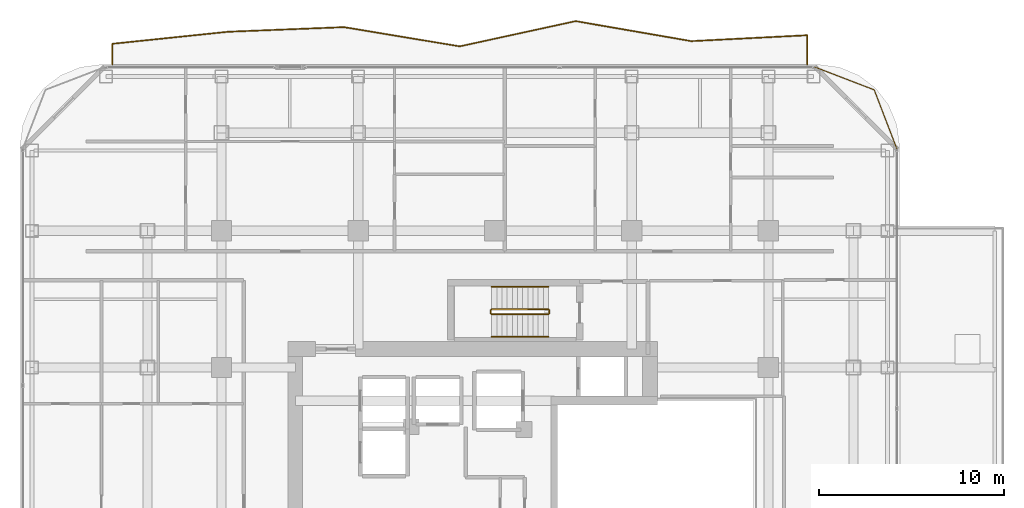
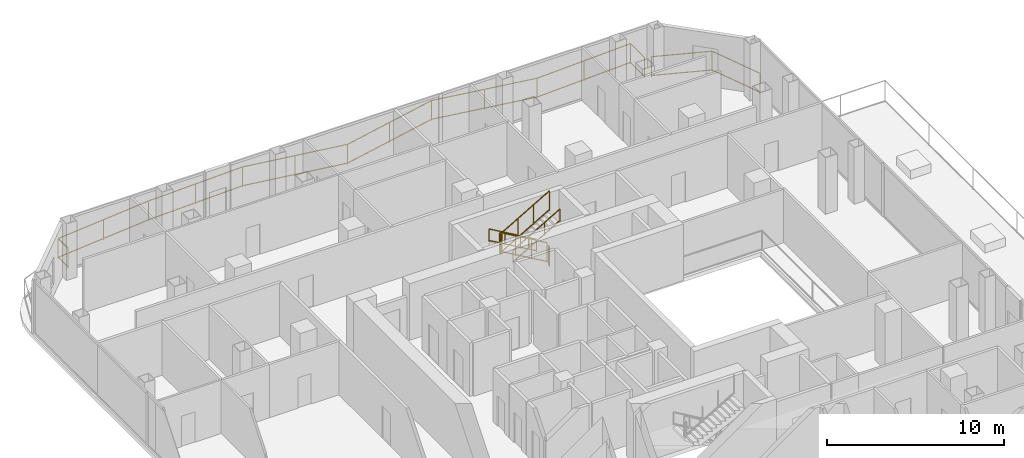
# One storey, part 27 of 27: 8 railings.
"""IFC4 building model written with IfcOpenShell, lengths in metres."""

from ifc_helpers import new_model, si_unit, direction, frame, origin, origin_2d, place, context, subcontext, project, spatial, rectangle, extrude, material, type_object, element, save


model = new_model("IFC4")

# Units and contexts
model_context = context("Model", 3, precision=1e-05, world=origin(), true_north=direction((0.0, 1.0)))
body_context = subcontext(model_context, "Body", "Model", "MODEL_VIEW")
ifc_project = project(units=[si_unit("LENGTHUNIT", "METRE"), si_unit("AREAUNIT", "SQUARE_METRE"), si_unit("VOLUMEUNIT", "CUBIC_METRE"), si_unit("PLANEANGLEUNIT", "RADIAN"), si_unit("MASSUNIT", "GRAM", prefix="KILO")], contexts=[model_context])

# Site, building, storey
site_placement = place(None, origin())
site = spatial("IfcSite", under=ifc_project, at=site_placement, CompositionType="ELEMENT")
building_placement = place(site_placement, origin())
building = spatial("IfcBuilding", under=site, at=building_placement, Name="Khorvyn Point Tower", CompositionType="ELEMENT")
storey_placement = place(building_placement, frame((0.0, 0.0, 168.0)))
storey = spatial("IfcBuildingStorey", under=building, at=storey_placement, Name="L41", CompositionType="ELEMENT", Elevation=168.0)

# Railings
ifc_material_1 = material(Name="Anodised aluminium 6063-T6 and laminated safety glass", Category="aluminium")
railing_type_1 = type_object("IfcRailingType", Name="Laminated Glass and Aluminium Balcony Guardrail 1400", PredefinedType="BALUSTRADE", material=ifc_material_1)
railing_1_placement = place(storey_placement, frame((21.774169921875, 19.176025390625, 0.0)))
element("IfcRailing", 1, at=railing_1_placement, inside=storey, type_object=railing_type_1, Name="L41 Rounded Corner Edge Guardrail NE", PredefinedType="BALUSTRADE", context=body_context, shape_type="SweptSolid", body=[
    extrude(rectangle(XDim=0.048095703125, YDim=0.048095703125, at=origin_2d()), frame((0.0, 0.0, 1.3759765625), z_axis=(-0.358382264808, 0.933574931257, 0.0), x_axis=(-0.933574931257, -0.358382264808, 0.0)), (0.0, 0.0, 1.0), 3.481689453125),
    extrude(rectangle(XDim=0.048095703125, YDim=0.048095703125, at=origin_2d()), frame((0.0, 0.0, 0.080078125), z_axis=(-0.358382264808, 0.933574931257, 0.0), x_axis=(-0.933574931257, -0.358382264808, 0.0)), (0.0, 0.0, 1.0), 3.481689453125),
    extrude(rectangle(XDim=0.048095703125, YDim=0.048095703125, at=origin_2d()), frame((-1.247802734375, 3.25048828125, 1.3759765625), z_axis=(-0.933598390295, 0.358321148746, 0.0), x_axis=(-0.358321148746, -0.933598390295, 0.0)), (0.0, 0.0, 1.0), 3.481689453125),
    extrude(rectangle(XDim=0.048095703125, YDim=0.048095703125, at=origin_2d()), frame((-1.247802734375, 3.25048828125, 0.080078125), z_axis=(-0.933598390295, 0.358321148746, 0.0), x_axis=(-0.358321148746, -0.933598390295, 0.0)), (0.0, 0.0, 1.0), 3.481689453125),
    extrude(rectangle(XDim=0.0419921875, YDim=0.0419921875, at=origin_2d()), origin(), (0.0, 0.0, 1.0), 1.351806640625),
    extrude(rectangle(XDim=0.0419921875, YDim=0.0419921875, at=origin_2d()), frame((-1.247802734375, 3.25048828125, 0.0)), (0.0, 0.0, 1.0), 1.351806640625),
    extrude(rectangle(XDim=0.0419921875, YDim=0.0419921875, at=origin_2d()), frame((-4.498291015625, 4.498046875, 0.0)), (0.0, 0.0, 1.0), 1.351806640625),
])
railing_2_placement = place(storey_placement, frame((16.89990234375, 23.800048828125, 0.0)))
element("IfcRailing", 2, at=railing_2_placement, inside=storey, type_object=railing_type_1, Name="L41 North Balcony Guardrail", PredefinedType="BALUSTRADE", context=body_context, shape_type="SweptSolid", body=[
    extrude(rectangle(XDim=0.048095703125, YDim=0.048095703125, at=origin_2d()), frame((0.0, 0.0, 1.3759765625), z_axis=(0.0, 1.0, 0.0), x_axis=(-1.0, 0.0, 0.0)), (0.0, 0.0, 1.0), 1.58154296875),
    extrude(rectangle(XDim=0.048095703125, YDim=0.048095703125, at=origin_2d()), frame((0.0, 0.0, 0.080078125), z_axis=(0.0, 1.0, 0.0), x_axis=(-1.0, 0.0, 0.0)), (0.0, 0.0, 1.0), 1.58154296875),
    extrude(rectangle(XDim=0.048095703125, YDim=0.048095703125, at=origin_2d()), frame((0.0, 1.58154296875, 1.3759765625), z_axis=(-0.998706121207, -0.050853549183, 0.0), x_axis=(0.050853549183, -0.998706121207, 0.0)), (0.0, 0.0, 1.0), 6.274658203125),
    extrude(rectangle(XDim=0.048095703125, YDim=0.048095703125, at=origin_2d()), frame((0.0, 1.58154296875, 0.080078125), z_axis=(-0.998706121207, -0.050853549183, 0.0), x_axis=(0.050853549183, -0.998706121207, 0.0)), (0.0, 0.0, 1.0), 6.274658203125),
    extrude(rectangle(XDim=0.048095703125, YDim=0.048095703125, at=origin_2d()), frame((-6.2666015625, 1.262451171875, 1.3759765625), z_axis=(-0.985353979217, 0.170521364177, 0.0), x_axis=(-0.170521364177, -0.985353979217, 0.0)), (0.0, 0.0, 1.0), 6.35986328125),
    extrude(rectangle(XDim=0.048095703125, YDim=0.048095703125, at=origin_2d()), frame((-6.2666015625, 1.262451171875, 0.080078125), z_axis=(-0.985353979217, 0.170521364177, 0.0), x_axis=(-0.170521364177, -0.985353979217, 0.0)), (0.0, 0.0, 1.0), 6.35986328125),
    extrude(rectangle(XDim=0.048095703125, YDim=0.048095703125, at=origin_2d()), frame((-12.533203125, 2.346923828125, 1.3759765625), z_axis=(-0.977049765943, -0.213011161377, 0.0), x_axis=(0.213011161377, -0.977049765943, 0.0)), (0.0, 0.0, 1.0), 6.413818359375),
    extrude(rectangle(XDim=0.048095703125, YDim=0.048095703125, at=origin_2d()), frame((-12.533203125, 2.346923828125, 0.080078125), z_axis=(-0.977049765943, -0.213011161377, 0.0), x_axis=(0.213011161377, -0.977049765943, 0.0)), (0.0, 0.0, 1.0), 6.413818359375),
    extrude(rectangle(XDim=0.048095703125, YDim=0.048095703125, at=origin_2d()), frame((-18.7998046875, 0.980712890625, 1.3759765625), z_axis=(-0.986525523457, 0.163607431273, 0.0), x_axis=(-0.163607431273, -0.986525523457, 0.0)), (0.0, 0.0, 1.0), 6.3525390625),
    extrude(rectangle(XDim=0.048095703125, YDim=0.048095703125, at=origin_2d()), frame((-18.7998046875, 0.980712890625, 0.080078125), z_axis=(-0.986525523457, 0.163607431273, 0.0), x_axis=(-0.163607431273, -0.986525523457, 0.0)), (0.0, 0.0, 1.0), 6.3525390625),
    extrude(rectangle(XDim=0.048095703125, YDim=0.048095703125, at=origin_2d()), frame((-25.066650390625, 2.02001953125, 1.3759765625), z_axis=(-0.999209826541, -0.039745723582, 0.0), x_axis=(0.039745723582, -0.999209826541, 0.0)), (0.0, 0.0, 1.0), 6.271484375),
    extrude(rectangle(XDim=0.048095703125, YDim=0.048095703125, at=origin_2d()), frame((-25.066650390625, 2.02001953125, 0.080078125), z_axis=(-0.999209826541, -0.039745723582, 0.0), x_axis=(0.039745723582, -0.999209826541, 0.0)), (0.0, 0.0, 1.0), 6.271484375),
    extrude(rectangle(XDim=0.048095703125, YDim=0.048095703125, at=origin_2d()), frame((-31.333251953125, 1.770751953125, 1.3759765625), z_axis=(-0.99462938435, -0.103500665638, 0.0), x_axis=(0.103500665638, -0.99462938435, 0.0)), (0.0, 0.0, 1.0), 6.300537109375),
    extrude(rectangle(XDim=0.048095703125, YDim=0.048095703125, at=origin_2d()), frame((-31.333251953125, 1.770751953125, 0.080078125), z_axis=(-0.99462938435, -0.103500665638, 0.0), x_axis=(0.103500665638, -0.99462938435, 0.0)), (0.0, 0.0, 1.0), 6.300537109375),
    extrude(rectangle(XDim=0.048095703125, YDim=0.048095703125, at=origin_2d()), frame((-37.599853515625, 1.11865234375, 1.3759765625), z_axis=(0.0, -1.0, 0.0), x_axis=(1.0, 0.0, 0.0)), (0.0, 0.0, 1.0), 1.11865234375),
    extrude(rectangle(XDim=0.048095703125, YDim=0.048095703125, at=origin_2d()), frame((-37.599853515625, 1.11865234375, 0.080078125), z_axis=(0.0, -1.0, 0.0), x_axis=(1.0, 0.0, 0.0)), (0.0, 0.0, 1.0), 1.11865234375),
    extrude(rectangle(XDim=0.0419921875, YDim=0.0419921875, at=origin_2d()), origin(), (0.0, 0.0, 1.0), 1.351806640625),
    extrude(rectangle(XDim=0.0419921875, YDim=0.0419921875, at=origin_2d()), frame((0.0, 1.58154296875, 0.0)), (0.0, 0.0, 1.0), 1.351806640625),
    extrude(rectangle(XDim=0.0419921875, YDim=0.0419921875, at=origin_2d()), frame((-3.13330078125, 1.421875, 0.0)), (0.0, 0.0, 1.0), 1.351806640625),
    extrude(rectangle(XDim=0.0419921875, YDim=0.0419921875, at=origin_2d()), frame((-6.2666015625, 1.262451171875, 0.0)), (0.0, 0.0, 1.0), 1.351806640625),
    extrude(rectangle(XDim=0.0419921875, YDim=0.0419921875, at=origin_2d()), frame((-9.39990234375, 1.8046875, 0.0)), (0.0, 0.0, 1.0), 1.351806640625),
    extrude(rectangle(XDim=0.0419921875, YDim=0.0419921875, at=origin_2d()), frame((-12.533203125, 2.346923828125, 0.0)), (0.0, 0.0, 1.0), 1.351806640625),
    extrude(rectangle(XDim=0.0419921875, YDim=0.0419921875, at=origin_2d()), frame((-15.66650390625, 1.663818359375, 0.0)), (0.0, 0.0, 1.0), 1.351806640625),
    extrude(rectangle(XDim=0.0419921875, YDim=0.0419921875, at=origin_2d()), frame((-18.7998046875, 0.980712890625, 0.0)), (0.0, 0.0, 1.0), 1.351806640625),
    extrude(rectangle(XDim=0.0419921875, YDim=0.0419921875, at=origin_2d()), frame((-21.93310546875, 1.50048828125, 0.0)), (0.0, 0.0, 1.0), 1.351806640625),
    extrude(rectangle(XDim=0.0419921875, YDim=0.0419921875, at=origin_2d()), frame((-25.066650390625, 2.02001953125, 0.0)), (0.0, 0.0, 1.0), 1.351806640625),
    extrude(rectangle(XDim=0.0419921875, YDim=0.0419921875, at=origin_2d()), frame((-28.199951171875, 1.8955078125, 0.0)), (0.0, 0.0, 1.0), 1.351806640625),
    extrude(rectangle(XDim=0.0419921875, YDim=0.0419921875, at=origin_2d()), frame((-31.333251953125, 1.770751953125, 0.0)), (0.0, 0.0, 1.0), 1.351806640625),
    extrude(rectangle(XDim=0.0419921875, YDim=0.0419921875, at=origin_2d()), frame((-34.466552734375, 1.44482421875, 0.0)), (0.0, 0.0, 1.0), 1.351806640625),
    extrude(rectangle(XDim=0.0419921875, YDim=0.0419921875, at=origin_2d()), frame((-37.599853515625, 1.11865234375, 0.0)), (0.0, 0.0, 1.0), 1.351806640625),
    extrude(rectangle(XDim=0.0419921875, YDim=0.0419921875, at=origin_2d()), frame((-37.599853515625, 0.0, 0.0)), (0.0, 0.0, 1.0), 1.351806640625),
])
ifc_material_2 = material(Name="Stainless steel 1.4301", Category="steel")
railing_type_2 = type_object("IfcRailingType", Name="Stainless Steel 304 Stair Pitch Handrail 900", PredefinedType="HANDRAIL", material=ifc_material_2)
railing_3_placement = place(storey_placement, frame((2.89990234375, 11.77001953125, 0.16259765625)))
element("IfcRailing", 3, at=railing_3_placement, inside=storey, type_object=railing_type_2, Name="L41 ST-02 stair handrail 1", PredefinedType="HANDRAIL", context=body_context, shape_type="SweptSolid", body=[
    extrude(rectangle(XDim=0.048095703125, YDim=0.048095703125, at=origin_2d()), frame((0.0, 0.0, 0.8759765625), z_axis=(-0.864903211148, 0.0, 0.501938676878), x_axis=(0.0, -1.0, 0.0)), (0.0, 0.0, 1.0), 3.560791015625),
    extrude(rectangle(XDim=0.048095703125, YDim=0.048095703125, at=origin_2d()), frame((0.0, 0.0, 0.080078125), z_axis=(-0.864903211148, 0.0, 0.501938676878), x_axis=(0.0, -1.0, 0.0)), (0.0, 0.0, 1.0), 3.560791015625),
    extrude(rectangle(XDim=0.0419921875, YDim=0.0419921875, at=origin_2d()), origin(), (0.0, 0.0, 1.0), 0.851806640625),
    extrude(rectangle(XDim=0.0419921875, YDim=0.0419921875, at=origin_2d()), frame((-1.026611328125, 0.0, 0.595703125)), (0.0, 0.0, 1.0), 0.851806640625),
    extrude(rectangle(XDim=0.0419921875, YDim=0.0419921875, at=origin_2d()), frame((-2.05322265625, 0.0, 1.191650390625)), (0.0, 0.0, 1.0), 0.851806640625),
    extrude(rectangle(XDim=0.0419921875, YDim=0.0419921875, at=origin_2d()), frame((-3.079833984375, 0.0, 1.787353515625)), (0.0, 0.0, 1.0), 0.851806640625),
])
railing_4_placement = place(storey_placement, frame((-0.179931640625, 9.070068359375, 2.112548828125)))
element("IfcRailing", 4, at=railing_4_placement, inside=storey, type_object=railing_type_2, Name="L41 ST-02 stair handrail 2", PredefinedType="HANDRAIL", context=body_context, shape_type="SweptSolid", body=[
    extrude(rectangle(XDim=0.048095703125, YDim=0.048095703125, at=origin_2d()), frame((0.0, 0.0, 0.8759765625), z_axis=(0.864903211148, 0.0, 0.501938676878), x_axis=(0.0, 1.0, 0.0)), (0.0, 0.0, 1.0), 3.560791015625),
    extrude(rectangle(XDim=0.048095703125, YDim=0.048095703125, at=origin_2d()), frame((0.0, 0.0, 0.080078125), z_axis=(0.864903211148, 0.0, 0.501938676878), x_axis=(0.0, 1.0, 0.0)), (0.0, 0.0, 1.0), 3.560791015625),
    extrude(rectangle(XDim=0.0419921875, YDim=0.0419921875, at=origin_2d()), origin(), (0.0, 0.0, 1.0), 0.851806640625),
    extrude(rectangle(XDim=0.0419921875, YDim=0.0419921875, at=origin_2d()), frame((1.026611328125, 0.0, 0.595703125)), (0.0, 0.0, 1.0), 0.851806640625),
    extrude(rectangle(XDim=0.0419921875, YDim=0.0419921875, at=origin_2d()), frame((2.05322265625, 0.0, 1.191650390625)), (0.0, 0.0, 1.0), 0.851806640625),
    extrude(rectangle(XDim=0.0419921875, YDim=0.0419921875, at=origin_2d()), frame((3.079833984375, 0.0, 1.787353515625)), (0.0, 0.0, 1.0), 0.851806640625),
])
railing_type_3 = type_object("IfcRailingType", Name="Stainless Steel 304 Stair Well Guardrail 1400", PredefinedType="GUARDRAIL", material=ifc_material_2)
railing_5_placement = place(storey_placement, frame((2.89990234375, 10.550048828125, 0.16259765625)))
element("IfcRailing", 5, at=railing_5_placement, inside=storey, type_object=railing_type_3, Name="L41 ST-02 stair guard 1", PredefinedType="GUARDRAIL", context=body_context, shape_type="SweptSolid", body=[
    extrude(rectangle(XDim=0.048095703125, YDim=0.048095703125, at=origin_2d()), frame((0.0, 0.0, 1.3759765625), z_axis=(-0.864903211148, 0.0, 0.501938676878), x_axis=(0.0, -1.0, 0.0)), (0.0, 0.0, 1.0), 3.560791015625),
    extrude(rectangle(XDim=0.048095703125, YDim=0.048095703125, at=origin_2d()), frame((0.0, 0.0, 0.080078125), z_axis=(-0.864903211148, 0.0, 0.501938676878), x_axis=(0.0, -1.0, 0.0)), (0.0, 0.0, 1.0), 3.560791015625),
    extrude(rectangle(XDim=0.0419921875, YDim=0.0419921875, at=origin_2d()), origin(), (0.0, 0.0, 1.0), 1.351806640625),
    extrude(rectangle(XDim=0.0419921875, YDim=0.0419921875, at=origin_2d()), frame((-1.026611328125, 0.0, 0.595703125)), (0.0, 0.0, 1.0), 1.351806640625),
    extrude(rectangle(XDim=0.0419921875, YDim=0.0419921875, at=origin_2d()), frame((-2.05322265625, 0.0, 1.191650390625)), (0.0, 0.0, 1.0), 1.351806640625),
    extrude(rectangle(XDim=0.0419921875, YDim=0.0419921875, at=origin_2d()), frame((-3.079833984375, 0.0, 1.787353515625)), (0.0, 0.0, 1.0), 1.351806640625),
])
railing_6_placement = place(storey_placement, frame((-0.22998046875, 10.5, 1.949951171875)))
element("IfcRailing", 6, at=railing_6_placement, inside=storey, type_object=railing_type_3, Name="L41 ST-02 stair guard 2", PredefinedType="GUARDRAIL", context=body_context, shape_type="SweptSolid", body=[
    extrude(rectangle(XDim=0.048095703125, YDim=0.048095703125, at=origin_2d()), frame((0.0, 0.0, 1.3759765625), z_axis=(0.0, -1.0, 0.0), x_axis=(1.0, 0.0, 0.0)), (0.0, 0.0, 1.0), 0.159912109375),
    extrude(rectangle(XDim=0.048095703125, YDim=0.048095703125, at=origin_2d()), frame((0.0, 0.0, 0.080078125), z_axis=(0.0, -1.0, 0.0), x_axis=(1.0, 0.0, 0.0)), (0.0, 0.0, 1.0), 0.159912109375),
    extrude(rectangle(XDim=0.0419921875, YDim=0.0419921875, at=origin_2d()), origin(), (0.0, 0.0, 1.0), 1.351806640625),
    extrude(rectangle(XDim=0.0419921875, YDim=0.0419921875, at=origin_2d()), frame((0.0, -0.159912109375, 0.0)), (0.0, 0.0, 1.0), 1.351806640625),
])
railing_7_placement = place(storey_placement, frame((-0.179931640625, 10.2900390625, 2.112548828125)))
element("IfcRailing", 7, at=railing_7_placement, inside=storey, type_object=railing_type_3, Name="L41 ST-02 stair guard 3", PredefinedType="GUARDRAIL", context=body_context, shape_type="SweptSolid", body=[
    extrude(rectangle(XDim=0.048095703125, YDim=0.048095703125, at=origin_2d()), frame((0.0, 0.0, 1.3759765625), z_axis=(0.864903211148, 0.0, 0.501938676878), x_axis=(0.0, 1.0, 0.0)), (0.0, 0.0, 1.0), 3.560791015625),
    extrude(rectangle(XDim=0.048095703125, YDim=0.048095703125, at=origin_2d()), frame((0.0, 0.0, 0.080078125), z_axis=(0.864903211148, 0.0, 0.501938676878), x_axis=(0.0, 1.0, 0.0)), (0.0, 0.0, 1.0), 3.560791015625),
    extrude(rectangle(XDim=0.0419921875, YDim=0.0419921875, at=origin_2d()), origin(), (0.0, 0.0, 1.0), 1.351806640625),
    extrude(rectangle(XDim=0.0419921875, YDim=0.0419921875, at=origin_2d()), frame((1.026611328125, 0.0, 0.595703125)), (0.0, 0.0, 1.0), 1.351806640625),
    extrude(rectangle(XDim=0.0419921875, YDim=0.0419921875, at=origin_2d()), frame((2.05322265625, 0.0, 1.191650390625)), (0.0, 0.0, 1.0), 1.351806640625),
    extrude(rectangle(XDim=0.0419921875, YDim=0.0419921875, at=origin_2d()), frame((3.079833984375, 0.0, 1.787353515625)), (0.0, 0.0, 1.0), 1.351806640625),
])
railing_8_placement = place(storey_placement, frame((2.949951171875, 10.5, 0.0)))
element("IfcRailing", 8, at=railing_8_placement, inside=storey, type_object=railing_type_3, Name="L41 ST-02 stair guard 4", PredefinedType="GUARDRAIL", context=body_context, shape_type="SweptSolid", body=[
    extrude(rectangle(XDim=0.048095703125, YDim=0.048095703125, at=origin_2d()), frame((0.0, 0.0, 1.3759765625), z_axis=(0.0, -1.0, 0.0), x_axis=(1.0, 0.0, 0.0)), (0.0, 0.0, 1.0), 0.159912109375),
    extrude(rectangle(XDim=0.048095703125, YDim=0.048095703125, at=origin_2d()), frame((0.0, 0.0, 0.080078125), z_axis=(0.0, -1.0, 0.0), x_axis=(1.0, 0.0, 0.0)), (0.0, 0.0, 1.0), 0.159912109375),
    extrude(rectangle(XDim=0.0419921875, YDim=0.0419921875, at=origin_2d()), origin(), (0.0, 0.0, 1.0), 1.351806640625),
    extrude(rectangle(XDim=0.0419921875, YDim=0.0419921875, at=origin_2d()), frame((0.0, -0.159912109375, 0.0)), (0.0, 0.0, 1.0), 1.351806640625),
])

save(model, "model.ifc")
